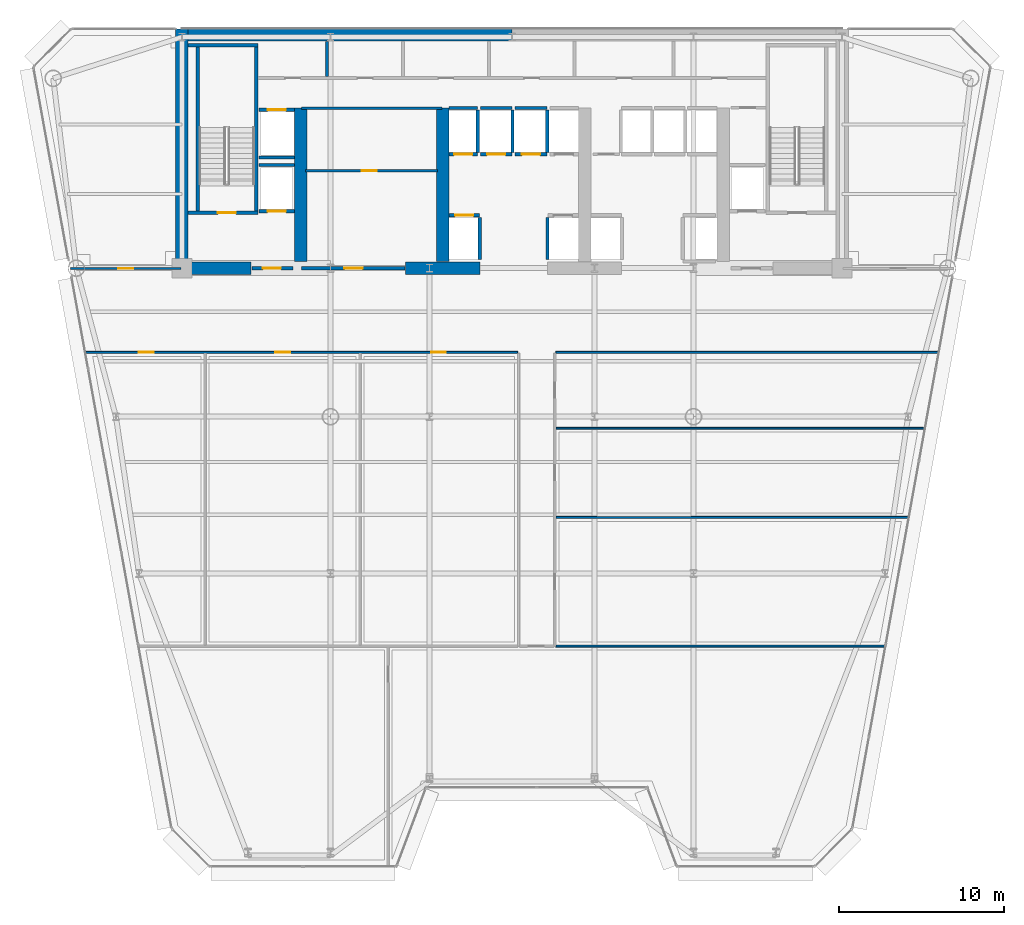
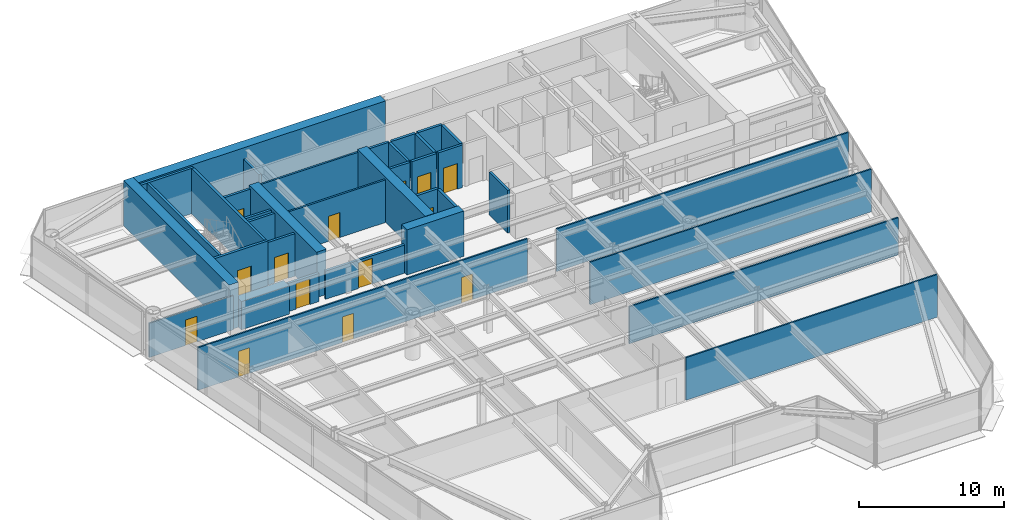
# One storey, part 8 of 14: 37 walls, 14 doors, 14 openings.
"""IFC4 building model written with IfcOpenShell, lengths in metres."""

from ifc_helpers import new_model, si_unit, direction, frame, frame_2d, origin, place, context, subcontext, project, spatial, rectangle, extrude, source, transform, mapped, material, layer, layer_set, type_object, element, fill, save


model = new_model("IFC4")

# Units and contexts
model_context = context("Model", 3, precision=1e-05, world=origin(), true_north=direction((0.0, 1.0)))
body_context = subcontext(model_context, "Body", "Model", "MODEL_VIEW")
ifc_project = project(units=[si_unit("LENGTHUNIT", "METRE"), si_unit("AREAUNIT", "SQUARE_METRE"), si_unit("VOLUMEUNIT", "CUBIC_METRE"), si_unit("PLANEANGLEUNIT", "RADIAN"), si_unit("MASSUNIT", "GRAM", prefix="KILO")], contexts=[model_context])

# Site, building, storey
site_placement = place(None, origin())
site = spatial("IfcSite", under=ifc_project, at=site_placement, CompositionType="ELEMENT")
building_placement = place(site_placement, origin())
building = spatial("IfcBuilding", under=site, at=building_placement, Name="Vaeldorn Concourse Tower", CompositionType="ELEMENT")
storey_placement = place(building_placement, frame((0.0, 0.0, 141.39990234375)))
storey = spatial("IfcBuildingStorey", under=building, at=storey_placement, Name="L36", CompositionType="ELEMENT", Elevation=141.39990234375)

# Walls
ifc_material_1 = material(Name="Concrete C60/75", Category="concrete")
ifc_layer_1 = layer(ifc_material_1, 0.75)
ifc_layer_set_1 = layer_set([ifc_layer_1], Name="Concrete C60/75")
wall_type_1 = type_object("IfcWallType", Name="WL-CORE-750", PredefinedType="SHEAR", material=ifc_layer_set_1)
wall_1_placement = place(storey_placement, frame((14.37890625, 50.625, 0.0), z_axis=(0.0, 0.0, 1.0), x_axis=(1.0, 0.0, 0.0)))
element("IfcWall", 1, at=wall_1_placement, inside=storey, type_object=wall_type_1, Name="Rear Core Shear Wall L36 N1", PredefinedType="SHEAR", context=body_context, shape_type="SweptSolid", body=[
    extrude(rectangle(XDim=19.619140625, YDim=0.75, at=frame_2d((9.8095703125, 0.0))), origin(), (0.0, 0.0, 1.0), 3.800048828125),
])
wall_2_placement = place(storey_placement, frame((14.0, 36.5, 0.0), z_axis=(0.0, 0.0, 1.0), x_axis=(0.0, 1.0, 0.0)))
element("IfcWall", 2, at=wall_2_placement, inside=storey, type_object=wall_type_1, Name="Rear Core Shear Wall L36 W1", PredefinedType="SHEAR", context=body_context, shape_type="SweptSolid", body=[
    extrude(rectangle(XDim=14.5, YDim=0.75, at=frame_2d((7.25, 0.0))), origin(), (0.0, 0.0, 1.0), 3.800048828125),
])
wall_3_placement = place(storey_placement, frame((14.39501953125, 36.5, 0.0), z_axis=(0.0, 0.0, 1.0), x_axis=(1.0, 0.0, 0.0)))
element("IfcWall", 3, at=wall_3_placement, inside=storey, type_object=wall_type_1, Name="Rear Core Shear Wall L36 S1", PredefinedType="SHEAR", context=body_context, shape_type="SweptSolid", body=[
    extrude(rectangle(XDim=3.804931640625, YDim=0.75, at=frame_2d((1.90234375, 0.0))), origin(), (0.0, 0.0, 1.0), 2.380126953125),
])
wall_4_placement = place(storey_placement, frame((27.550048828125, 36.5, 0.0), z_axis=(0.0, 0.0, 1.0), x_axis=(1.0, 0.0, 0.0)))
element("IfcWall", 4, at=wall_4_placement, inside=storey, type_object=wall_type_1, Name="Rear Core Shear Wall L36 S2", PredefinedType="SHEAR", context=body_context, shape_type="SweptSolid", body=[
    extrude(rectangle(XDim=4.5, YDim=0.75, at=frame_2d((2.25, 0.0))), origin(), (0.0, 0.0, 1.0), 3.800048828125),
])
for number, where, z_axis, x_axis, name in (
    (5, (21.199951171875, 36.89501953125, 0.0), (0.0, 0.0, 1.0), (0.0, 1.0, 0.0), "Rear Core Shear Wall L36 M1"),
    (6, (29.800048828125, 36.89501953125, 0.0), (0.0, 0.0, 1.0), (0.0, 1.0, 0.0), "Rear Core Shear Wall L36 M2"),
):
    element("IfcWall", number, at=place(storey_placement, frame(where, z_axis=z_axis, x_axis=x_axis)), inside=storey, type_object=wall_type_1, Name=name, PredefinedType="SHEAR", context=body_context, shape_type="SweptSolid", body=[
        extrude(rectangle(XDim=9.304931640625, YDim=0.75, at=frame_2d((4.65234375, 0.0))), origin(), (0.0, 0.0, 1.0), 3.800048828125),
    ])

# Wall, openings, doors
ifc_material_2 = material(Name="Gypsum Board Partition", Category="gypsum")
ifc_layer_2 = layer(ifc_material_2, 0.1201171875)
ifc_layer_set_2 = layer_set([ifc_layer_2], Name="Gypsum Board Partition")
wall_type_2 = type_object("IfcWallType", Name="WL-PART-120", PredefinedType="PARTITIONING", material=ifc_layer_set_2)
wall_5_placement = place(storey_placement, frame((8.178955078125, 31.39990234375, 0.0), z_axis=(0.0, 0.0, 1.0), x_axis=(1.0, 0.0, 0.0)))
wall_5 = element("IfcWall", 7, at=wall_5_placement, inside=storey, type_object=wall_type_2, Name="Interior Wall PW-L36-C2SW", PredefinedType="PARTITIONING", context=body_context, shape_type="SweptSolid", body=[
    extrude(rectangle(XDim=26.1611328125, YDim=0.1201171875, at=frame_2d((13.08056640625, 0.0))), origin(), (0.0, 0.0, 1.0), 3.580078125),
])
opening_1_placement = place(wall_5_placement, frame((3.2109375, 0.0, 0.0)))
opening_1 = element("IfcOpeningElement", 8, at=opening_1_placement, cuts=wall_5, Name="Opening D-03", PredefinedType="OPENING", context=body_context, shape_type="SweptSolid", body=[
    extrude(rectangle(XDim=0.89990234375, YDim=2.14990234375, at=frame_2d((0.449951171875, 1.074951171875))), frame((0.0, 0.070068359375, 0.0), z_axis=(0.0, -1.0, 0.0), x_axis=(1.0, 0.0, 0.0)), (0.0, 0.0, 1.0), 0.14013671875),
])
opening_2_placement = place(wall_5_placement, frame((11.470947265625, 0.0, 0.0)))
opening_2 = element("IfcOpeningElement", 9, at=opening_2_placement, cuts=wall_5, Name="Opening D-03", PredefinedType="OPENING", context=body_context, shape_type="SweptSolid", body=[
    extrude(rectangle(XDim=0.89990234375, YDim=2.14990234375, at=frame_2d((0.449951171875, 1.074951171875))), frame((0.0, 0.070068359375, 0.0), z_axis=(0.0, -1.0, 0.0), x_axis=(1.0, 0.0, 0.0)), (0.0, 0.0, 1.0), 0.14013671875),
])
opening_3_placement = place(wall_5_placement, frame((20.9208984375, 0.0, 0.0)))
opening_3 = element("IfcOpeningElement", 10, at=opening_3_placement, cuts=wall_5, Name="Opening D-03", PredefinedType="OPENING", context=body_context, shape_type="SweptSolid", body=[
    extrude(rectangle(XDim=0.89990234375, YDim=2.14990234375, at=frame_2d((0.449951171875, 1.074951171875))), frame((0.0, 0.070068359375, 0.0), z_axis=(0.0, -1.0, 0.0), x_axis=(1.0, 0.0, 0.0)), (0.0, 0.0, 1.0), 0.14013671875),
])
ifc_material_3 = material(Name="Acoustic Bronze-Framed Glass Door", Category="glass")
door_type_1 = type_object("IfcDoorType", Name="DR-INT-900", OperationType="NOTDEFINED", PredefinedType="DOOR", material=ifc_material_3)
shared_shape_1 = source(origin(), body_context, "Body", "SweptSolid", [
    extrude(rectangle(XDim=0.89990234375, YDim=2.14990234375, at=frame_2d((0.449951171875, 1.074951171875))), frame((0.0, 0.02490234375, 0.0), z_axis=(0.0, -1.0, 0.0), x_axis=(1.0, 0.0, 0.0)), (0.0, 0.0, 1.0), 0.050048828125),
])
door_1_placement = place(opening_1_placement, origin())
door_1 = element("IfcDoor", 11, at=door_1_placement, inside=storey, type_object=door_type_1, Name="Interior Door DR-L36-Z2W1", OperationType="SINGLE_SWING_LEFT", OverallHeight=2.14990234375, OverallWidth=0.89990234375, PredefinedType="DOOR", context=body_context, shape_type="MappedRepresentation", body=[
    mapped(shared_shape_1, transform((0.0, 0.0, 0.0), scale=1.0)),
])
fill(opening_1, door_1)
door_2_placement = place(opening_2_placement, origin())
door_2 = element("IfcDoor", 12, at=door_2_placement, inside=storey, type_object=door_type_1, Name="Interior Door DR-L36-Z2W2", OperationType="SINGLE_SWING_RIGHT", OverallHeight=2.14990234375, OverallWidth=0.89990234375, PredefinedType="DOOR", context=body_context, shape_type="MappedRepresentation", body=[
    mapped(shared_shape_1, transform((0.0, 0.0, 0.0), scale=1.0)),
])
fill(opening_2, door_2)
door_3_placement = place(opening_3_placement, origin())
door_3 = element("IfcDoor", 13, at=door_3_placement, inside=storey, type_object=door_type_1, Name="Interior Door DR-L36-Z2W3", OperationType="SINGLE_SWING_LEFT", OverallHeight=2.14990234375, OverallWidth=0.89990234375, PredefinedType="DOOR", context=body_context, shape_type="MappedRepresentation", body=[
    mapped(shared_shape_1, transform((0.0, 0.0, 0.0), scale=1.0)),
])
fill(opening_3, door_3)

# Wall
wall_6_placement = place(storey_placement, frame((36.659912109375, 31.39990234375, 0.0), z_axis=(0.0, 0.0, 1.0), x_axis=(1.0, 0.0, 0.0)))
element("IfcWall", 14, at=wall_6_placement, inside=storey, type_object=wall_type_2, Name="Interior Wall PW-L36-C2SE", PredefinedType="PARTITIONING", context=body_context, shape_type="SweptSolid", body=[
    extrude(rectangle(XDim=23.1611328125, YDim=0.1201171875, at=frame_2d((11.58056640625, 0.0))), origin(), (0.0, 0.0, 1.0), 3.580078125),
])

# Wall, opening, door
wall_7_placement = place(storey_placement, frame((7.2626953125, 36.47998046875, 0.0), z_axis=(0.0, 0.0, 1.0), x_axis=(1.0, 0.0, 0.0)))
wall_7 = element("IfcWall", 15, at=wall_7_placement, inside=storey, type_object=wall_type_2, Name="Interior Wall PW-L36-NWS", PredefinedType="PARTITIONING", context=body_context, shape_type="SweptSolid", body=[
    extrude(rectangle(XDim=6.67724609375, YDim=0.1201171875, at=frame_2d((3.338623046875, 0.0))), origin(), (0.0, 0.0, 1.0), 2.8701171875),
])
opening_4_placement = place(wall_7_placement, frame((2.888916015625, 0.0, 0.0)))
opening_4 = element("IfcOpeningElement", 16, at=opening_4_placement, cuts=wall_7, Name="Opening D-03", PredefinedType="OPENING", context=body_context, shape_type="SweptSolid", body=[
    extrude(rectangle(XDim=0.89990234375, YDim=2.14990234375, at=frame_2d((0.449951171875, 1.074951171875))), frame((0.0, 0.070068359375, 0.0), z_axis=(0.0, -1.0, 0.0), x_axis=(1.0, 0.0, 0.0)), (0.0, 0.0, 1.0), 0.14013671875),
])
door_4_placement = place(opening_4_placement, origin())
door_4 = element("IfcDoor", 17, at=door_4_placement, inside=storey, type_object=door_type_1, Name="Interior Door DR-L36-NWC", OperationType="SINGLE_SWING_LEFT", OverallHeight=2.14990234375, OverallWidth=0.89990234375, PredefinedType="DOOR", context=body_context, shape_type="MappedRepresentation", body=[
    mapped(shared_shape_1, transform((0.0, 0.0, 0.0), scale=1.0)),
])
fill(opening_4, door_4)

# Walls
wall_8_placement = place(storey_placement, frame((36.659912109375, 13.60009765625, 0.0), z_axis=(0.0, 0.0, 1.0), x_axis=(1.0, 0.0, 0.0)))
element("IfcWall", 18, at=wall_8_placement, inside=storey, type_object=wall_type_2, Name="Interior Wall PW-L36-S2EL", PredefinedType="PARTITIONING", context=body_context, shape_type="SweptSolid", body=[
    extrude(rectangle(XDim=19.931396484375, YDim=0.1201171875, at=frame_2d((9.9658203125, 0.0))), origin(), (0.0, 0.0, 1.0), 3.580078125),
])
wall_9_placement = place(storey_placement, frame((36.659912109375, 21.39990234375, 0.0), z_axis=(0.0, 0.0, 1.0), x_axis=(1.0, 0.0, 0.0)))
element("IfcWall", 19, at=wall_9_placement, inside=storey, type_object=wall_type_2, Name="Interior Wall PW-L36-Z2EY1", PredefinedType="PARTITIONING", context=body_context, shape_type="SweptSolid", body=[
    extrude(rectangle(XDim=21.3466796875, YDim=0.1201171875, at=frame_2d((10.67333984375, 0.0))), origin(), (0.0, 0.0, 1.0), 3.1201171875),
])
wall_10_placement = place(storey_placement, frame((36.659912109375, 26.800048828125, 0.0), z_axis=(0.0, 0.0, 1.0), x_axis=(1.0, 0.0, 0.0)))
element("IfcWall", 20, at=wall_10_placement, inside=storey, type_object=wall_type_2, Name="Interior Wall PW-L36-Z2EY2", PredefinedType="PARTITIONING", context=body_context, shape_type="SweptSolid", body=[
    extrude(rectangle(XDim=22.326416015625, YDim=0.1201171875, at=frame_2d((11.1630859375, 0.0))), origin(), (0.0, 0.0, 1.0), 3.580078125),
])
ifc_layer_3 = layer(ifc_material_2, 0.14990234375)
ifc_layer_set_3 = layer_set([ifc_layer_3], Name="Gypsum Board Partition")
wall_type_3 = type_object("IfcWallType", Name="WL-PART-150", PredefinedType="PARTITIONING", material=ifc_layer_set_3)
wall_11_placement = place(storey_placement, frame((21.25, 46.199951171875, 0.0), z_axis=(0.0, 0.0, 1.0), x_axis=(1.0, 0.0, 0.0)))
element("IfcWall", 21, at=wall_11_placement, inside=storey, type_object=wall_type_3, Name="Interior Wall CW-L36-R1N", PredefinedType="PARTITIONING", context=body_context, shape_type="SweptSolid", body=[
    extrude(rectangle(XDim=8.5, YDim=0.14990234375, at=frame_2d((4.25, 0.0))), origin(), (0.0, 0.0, 1.0), 3.580078125),
])

# Wall, opening, door
wall_12_placement = place(storey_placement, frame((21.5, 42.39990234375, 0.0), z_axis=(0.0, 0.0, 1.0), x_axis=(1.0, 0.0, 0.0)))
wall_12 = element("IfcWall", 22, at=wall_12_placement, inside=storey, type_object=wall_type_3, Name="Interior Wall CW-L36-R1M", PredefinedType="PARTITIONING", context=body_context, shape_type="SweptSolid", body=[
    extrude(rectangle(XDim=8.0, YDim=0.14990234375, at=frame_2d((4.0, 0.0))), origin(), (0.0, 0.0, 1.0), 3.580078125),
])
opening_5_placement = place(wall_12_placement, frame((3.39990234375, 0.0, 0.0)))
opening_5 = element("IfcOpeningElement", 23, at=opening_5_placement, cuts=wall_12, Name="Opening D-02", PredefinedType="OPENING", context=body_context, shape_type="SweptSolid", body=[
    extrude(rectangle(XDim=0.89990234375, YDim=2.10009765625, at=frame_2d((0.449951171875, 1.050048828125))), frame((0.0, 0.0849609375, 0.0), z_axis=(0.0, -1.0, 0.0), x_axis=(1.0, 0.0, 0.0)), (0.0, 0.0, 1.0), 0.169921875),
])
ifc_material_4 = material(Name="Fire-Rated Timber Leaf", Category="wood")
door_type_2 = type_object("IfcDoorType", Name="DR-FD30-900", OperationType="NOTDEFINED", PredefinedType="DOOR", material=ifc_material_4)
shared_shape_2 = source(origin(), body_context, "Body", "SweptSolid", [
    extrude(rectangle(XDim=0.89990234375, YDim=2.10009765625, at=frame_2d((0.449951171875, 1.050048828125))), frame((0.0, 0.02490234375, 0.0), z_axis=(0.0, -1.0, 0.0), x_axis=(1.0, 0.0, 0.0)), (0.0, 0.0, 1.0), 0.050048828125),
])
door_5_placement = place(opening_5_placement, origin())
door_5 = element("IfcDoor", 24, at=door_5_placement, inside=storey, type_object=door_type_2, Name="Interior Door DR-L36-R1M", OperationType="SINGLE_SWING_RIGHT", OverallHeight=2.10009765625, OverallWidth=0.89990234375, PredefinedType="DOOR", context=body_context, shape_type="MappedRepresentation", body=[
    mapped(shared_shape_2, transform((0.0, 0.0, 0.0), scale=1.0)),
])
fill(opening_5, door_5)

# Wall
ifc_layer_4 = layer(ifc_material_2, 0.179931640625)
ifc_layer_set_4 = layer_set([ifc_layer_4], Name="Gypsum Board Partition")
wall_type_4 = type_object("IfcWallType", Name="WL-PLUMB-180", PredefinedType="PLUMBINGWALL", material=ifc_layer_set_4)
wall_13_placement = place(storey_placement, frame((22.800048828125, 48.10009765625, 0.0), z_axis=(0.0, 0.0, 1.0), x_axis=(0.0, 1.0, 0.0)))
element("IfcWall", 25, at=wall_13_placement, inside=storey, type_object=wall_type_4, Name="Interior Wall CW-L36-NDIV1", PredefinedType="PLUMBINGWALL", context=body_context, shape_type="SweptSolid", body=[
    extrude(rectangle(XDim=2.1298828125, YDim=0.179931640625, at=frame_2d((1.06494140625, 0.0))), origin(), (0.0, 0.0, 1.0), 2.8701171875),
])

# Wall, opening, door
ifc_material_5 = material(Name="Concrete C50/60", Category="concrete")
ifc_layer_5 = layer(ifc_material_5, 0.199951171875)
ifc_layer_set_5 = layer_set([ifc_layer_5], Name="Concrete C50/60")
wall_type_5 = type_object("IfcWallType", Name="WL-SHAFT-200", PredefinedType="SOLIDWALL", material=ifc_layer_set_5)
wall_14_placement = place(storey_placement, frame((14.375, 39.85009765625, 0.0), z_axis=(0.0, 0.0, 1.0), x_axis=(1.0, 0.0, 0.0)))
wall_14 = element("IfcWall", 26, at=wall_14_placement, inside=storey, type_object=wall_type_5, Name="Stair Shaft Wall CW-L36-ST-1-S", PredefinedType="SOLIDWALL", context=body_context, shape_type="SweptSolid", body=[
    extrude(rectangle(XDim=4.22509765625, YDim=0.199951171875, at=frame_2d((2.112548828125, 0.0))), origin(), (0.0, 0.0, 1.0), 3.800048828125),
])
opening_6_placement = place(wall_14_placement, frame((1.800048828125, 0.0, 0.0)))
opening_6 = element("IfcOpeningElement", 27, at=opening_6_placement, cuts=wall_14, Name="Opening D-01", PredefinedType="OPENING", context=body_context, shape_type="SweptSolid", body=[
    extrude(rectangle(XDim=1.10009765625, YDim=2.14990234375, at=frame_2d((0.550048828125, 1.074951171875))), frame((0.0, 0.10986328125, 0.0), z_axis=(0.0, -1.0, 0.0), x_axis=(1.0, 0.0, 0.0)), (0.0, 0.0, 1.0), 0.219970703125),
])
ifc_material_6 = material(Name="Fire-Rated Timber and Steel Leaf", Category="steel")
door_type_3 = type_object("IfcDoorType", Name="DR-FD60-1100", OperationType="NOTDEFINED", PredefinedType="DOOR", material=ifc_material_6)
shared_shape_3 = source(origin(), body_context, "Body", "SweptSolid", [
    extrude(rectangle(XDim=1.10009765625, YDim=2.14990234375, at=frame_2d((0.550048828125, 1.074951171875))), frame((0.0, 0.02490234375, 0.0), z_axis=(0.0, -1.0, 0.0), x_axis=(1.0, 0.0, 0.0)), (0.0, 0.0, 1.0), 0.050048828125),
])
door_6_placement = place(opening_6_placement, origin())
door_6 = element("IfcDoor", 28, at=door_6_placement, inside=storey, type_object=door_type_3, Name="Interior Door DR-L36-ST-1", OperationType="SINGLE_SWING_LEFT", OverallHeight=2.14990234375, OverallWidth=1.10009765625, PredefinedType="DOOR", context=body_context, shape_type="MappedRepresentation", body=[
    mapped(shared_shape_3, transform((0.0, 0.0, 0.0), scale=1.0)),
])
fill(opening_6, door_6)

# Walls
wall_15_placement = place(storey_placement, frame((14.375, 50.0, 0.0), z_axis=(0.0, 0.0, 1.0), x_axis=(1.0, 0.0, 0.0)))
element("IfcWall", 29, at=wall_15_placement, inside=storey, type_object=wall_type_5, Name="Stair Shaft Wall CW-L36-ST-1-N", PredefinedType="SOLIDWALL", context=body_context, shape_type="SweptSolid", body=[
    extrude(rectangle(XDim=4.22509765625, YDim=0.199951171875, at=frame_2d((2.112548828125, 0.0))), origin(), (0.0, 0.0, 1.0), 3.800048828125),
])
for number, where, z_axis, x_axis, name in (
    (30, (14.949951171875, 39.9599609375, 0.0), (0.0, 0.0, 1.0), (0.0, 1.0, 0.0), "Stair Shaft Wall CW-L36-ST-1-W"),
    (31, (18.5, 39.9599609375, 0.0), (0.0, 0.0, 1.0), (0.0, 1.0, 0.0), "Stair Shaft Wall CW-L36-ST-1-E"),
):
    element("IfcWall", number, at=place(storey_placement, frame(where, z_axis=z_axis, x_axis=x_axis)), inside=storey, type_object=wall_type_5, Name=name, PredefinedType="SOLIDWALL", context=body_context, shape_type="SweptSolid", body=[
        extrude(rectangle(XDim=9.929931640625, YDim=0.199951171875, at=frame_2d((4.96484375, 0.0))), origin(), (0.0, 0.0, 1.0), 3.800048828125),
    ])

# Wall, opening, door
wall_16_placement = place(storey_placement, frame((18.25, 36.5, 0.0), z_axis=(0.0, 0.0, 1.0), x_axis=(1.0, 0.0, 0.0)))
wall_16 = element("IfcWall", 32, at=wall_16_placement, inside=storey, type_object=wall_type_5, Name="Interior Wall CW-L36-FF1S", PredefinedType="SOLIDWALL", context=body_context, shape_type="SweptSolid", body=[
    extrude(rectangle(XDim=2.469970703125, YDim=0.199951171875, at=frame_2d((1.23486328125, 0.0))), origin(), (0.0, 0.0, 1.0), 2.3701171875),
])
opening_7_placement = place(wall_16_placement, frame((0.64990234375, 0.0, 0.0)))
opening_7 = element("IfcOpeningElement", 33, at=opening_7_placement, cuts=wall_16, Name="Opening D-01", PredefinedType="OPENING", context=body_context, shape_type="SweptSolid", body=[
    extrude(rectangle(XDim=1.10009765625, YDim=2.14990234375, at=frame_2d((0.550048828125, 1.074951171875))), frame((0.0, 0.10986328125, 0.0), z_axis=(0.0, -1.0, 0.0), x_axis=(1.0, 0.0, 0.0)), (0.0, 0.0, 1.0), 0.219970703125),
])
door_7_placement = place(opening_7_placement, origin())
door_7 = element("IfcDoor", 34, at=door_7_placement, inside=storey, type_object=door_type_3, Name="Interior Door DR-L36-FF1E", OperationType="SINGLE_SWING_RIGHT", OverallHeight=2.14990234375, OverallWidth=1.10009765625, PredefinedType="DOOR", context=body_context, shape_type="MappedRepresentation", body=[
    mapped(shared_shape_3, transform((0.0, 0.0, 0.0), scale=1.0)),
])
fill(opening_7, door_7)

wall_17_placement = place(storey_placement, frame((30.18505859375, 39.699951171875, 0.0), z_axis=(0.0, 0.0, 1.0), x_axis=(1.0, 0.0, 0.0)))
wall_17 = element("IfcWall", 35, at=wall_17_placement, inside=storey, type_object=wall_type_5, Name="Interior Wall CW-L36-LF-LF-07", PredefinedType="SOLIDWALL", context=body_context, shape_type="SweptSolid", body=[
    extrude(rectangle(XDim=1.844970703125, YDim=0.199951171875, at=frame_2d((0.92236328125, 0.0))), origin(), (0.0, 0.0, 1.0), 3.580078125),
])
opening_8_placement = place(wall_17_placement, frame((0.373046875, 0.0, 0.0)))
opening_8 = element("IfcOpeningElement", 36, at=opening_8_placement, cuts=wall_17, Name="Opening LD-1", PredefinedType="OPENING", context=body_context, shape_type="SweptSolid", body=[
    extrude(rectangle(XDim=1.10009765625, YDim=2.14990234375, at=frame_2d((0.550048828125, 1.074951171875))), frame((0.0, 0.10986328125, 0.0), z_axis=(0.0, -1.0, 0.0), x_axis=(1.0, 0.0, 0.0)), (0.0, 0.0, 1.0), 0.219970703125),
])
ifc_material_7 = material(Name="Anodised Bronze Aluminium", Category="aluminium")
door_type_4 = type_object("IfcDoorType", Name="DR-LIFT-SLIDE-1100", OperationType="DOUBLE_DOOR_SLIDING", PredefinedType="DOOR", material=ifc_material_7)
door_8_placement = place(opening_8_placement, origin())
door_8 = element("IfcDoor", 37, at=door_8_placement, inside=storey, type_object=door_type_4, Name="Lift Landing Door LD-L36-LF-07", OperationType="DOUBLE_DOOR_SLIDING", OverallHeight=2.14990234375, OverallWidth=1.10009765625, PredefinedType="DOOR", context=body_context, shape_type="MappedRepresentation", body=[
    mapped(shared_shape_3, transform((0.0, 0.0, 0.0), scale=1.0)),
])
fill(opening_8, door_8)

# Walls
for number, where, z_axis, x_axis, name in (
    (38, (32.050048828125, 37.02001953125, 0.0), (0.0, 0.0, 1.0), (0.0, 1.0, 0.0), "Interior Wall CW-L36-LFE-LF-07"),
    (39, (36.14990234375, 37.02001953125, 0.0), (0.0, 0.0, 1.0), (0.0, 1.0, 0.0), "Interior Wall CW-L36-LFW-LF-08"),
):
    element("IfcWall", number, at=place(storey_placement, frame(where, z_axis=z_axis, x_axis=x_axis)), inside=storey, type_object=wall_type_5, Name=name, PredefinedType="SOLIDWALL", context=body_context, shape_type="SweptSolid", body=[
        extrude(rectangle(XDim=2.56005859375, YDim=0.199951171875, at=frame_2d((1.280029296875, 0.0))), origin(), (0.0, 0.0, 1.0), 3.580078125),
    ])

# Wall, opening, door
wall_18_placement = place(storey_placement, frame((30.18505859375, 43.39990234375, 0.0), z_axis=(0.0, 0.0, 1.0), x_axis=(1.0, 0.0, 0.0)))
wall_18 = element("IfcWall", 40, at=wall_18_placement, inside=storey, type_object=wall_type_5, Name="Interior Wall CW-L36-LF-LF-09", PredefinedType="SOLIDWALL", context=body_context, shape_type="SweptSolid", body=[
    extrude(rectangle(XDim=1.724853515625, YDim=0.199951171875, at=frame_2d((0.8623046875, 0.0))), origin(), (0.0, 0.0, 1.0), 3.580078125),
])
opening_9_placement = place(wall_18_placement, frame((0.31298828125, 0.0, 0.0)))
opening_9 = element("IfcOpeningElement", 41, at=opening_9_placement, cuts=wall_18, Name="Opening LD-1", PredefinedType="OPENING", context=body_context, shape_type="SweptSolid", body=[
    extrude(rectangle(XDim=1.10009765625, YDim=2.14990234375, at=frame_2d((0.550048828125, 1.074951171875))), frame((0.0, 0.10986328125, 0.0), z_axis=(0.0, -1.0, 0.0), x_axis=(1.0, 0.0, 0.0)), (0.0, 0.0, 1.0), 0.219970703125),
])
door_9_placement = place(opening_9_placement, origin())
door_9 = element("IfcDoor", 42, at=door_9_placement, inside=storey, type_object=door_type_4, Name="Lift Landing Door LD-L36-LF-09", OperationType="DOUBLE_DOOR_SLIDING", OverallHeight=2.14990234375, OverallWidth=1.10009765625, PredefinedType="DOOR", context=body_context, shape_type="MappedRepresentation", body=[
    mapped(shared_shape_3, transform((0.0, 0.0, 0.0), scale=1.0)),
])
fill(opening_9, door_9)

# Walls
wall_19_placement = place(storey_placement, frame((30.18505859375, 46.199951171875, 0.0), z_axis=(0.0, 0.0, 1.0), x_axis=(1.0, 0.0, 0.0)))
element("IfcWall", 43, at=wall_19_placement, inside=storey, type_object=wall_type_5, Name="Interior Wall CW-L36-LFB-LF-09", PredefinedType="SOLIDWALL", context=body_context, shape_type="SweptSolid", body=[
    extrude(rectangle(XDim=1.724853515625, YDim=0.199951171875, at=frame_2d((0.8623046875, 0.0))), origin(), (0.0, 0.0, 1.0), 3.580078125),
])
wall_20_placement = place(storey_placement, frame((31.929931640625, 43.52001953125, 0.0), z_axis=(0.0, 0.0, 1.0), x_axis=(0.0, 1.0, 0.0)))
element("IfcWall", 44, at=wall_20_placement, inside=storey, type_object=wall_type_5, Name="Interior Wall CW-L36-LFE-LF-09", PredefinedType="SOLIDWALL", context=body_context, shape_type="SweptSolid", body=[
    extrude(rectangle(XDim=2.56005859375, YDim=0.199951171875, at=frame_2d((1.280029296875, 0.0))), origin(), (0.0, 0.0, 1.0), 3.580078125),
])

# Wall, opening, door
wall_21_placement = place(storey_placement, frame((32.090087890625, 43.39990234375, 0.0), z_axis=(0.0, 0.0, 1.0), x_axis=(1.0, 0.0, 0.0)))
wall_21 = element("IfcWall", 45, at=wall_21_placement, inside=storey, type_object=wall_type_5, Name="Interior Wall CW-L36-LF-LF-10", PredefinedType="SOLIDWALL", context=body_context, shape_type="SweptSolid", body=[
    extrude(rectangle(XDim=1.919921875, YDim=0.199951171875, at=frame_2d((0.9599609375, 0.0))), origin(), (0.0, 0.0, 1.0), 3.580078125),
])
opening_10_placement = place(wall_21_placement, frame((0.409912109375, 0.0, 0.0)))
opening_10 = element("IfcOpeningElement", 46, at=opening_10_placement, cuts=wall_21, Name="Opening LD-1", PredefinedType="OPENING", context=body_context, shape_type="SweptSolid", body=[
    extrude(rectangle(XDim=1.10009765625, YDim=2.14990234375, at=frame_2d((0.550048828125, 1.074951171875))), frame((0.0, 0.10986328125, 0.0), z_axis=(0.0, -1.0, 0.0), x_axis=(1.0, 0.0, 0.0)), (0.0, 0.0, 1.0), 0.219970703125),
])
door_10_placement = place(opening_10_placement, origin())
door_10 = element("IfcDoor", 47, at=door_10_placement, inside=storey, type_object=door_type_4, Name="Lift Landing Door LD-L36-LF-10", OperationType="DOUBLE_DOOR_SLIDING", OverallHeight=2.14990234375, OverallWidth=1.10009765625, PredefinedType="DOOR", context=body_context, shape_type="MappedRepresentation", body=[
    mapped(shared_shape_3, transform((0.0, 0.0, 0.0), scale=1.0)),
])
fill(opening_10, door_10)

# Walls
wall_22_placement = place(storey_placement, frame((32.090087890625, 46.199951171875, 0.0), z_axis=(0.0, 0.0, 1.0), x_axis=(1.0, 0.0, 0.0)))
element("IfcWall", 48, at=wall_22_placement, inside=storey, type_object=wall_type_5, Name="Interior Wall CW-L36-LFB-LF-10", PredefinedType="SOLIDWALL", context=body_context, shape_type="SweptSolid", body=[
    extrude(rectangle(XDim=1.919921875, YDim=0.199951171875, at=frame_2d((0.9599609375, 0.0))), origin(), (0.0, 0.0, 1.0), 3.580078125),
])
wall_23_placement = place(storey_placement, frame((34.030029296875, 43.52001953125, 0.0), z_axis=(0.0, 0.0, 1.0), x_axis=(0.0, 1.0, 0.0)))
element("IfcWall", 49, at=wall_23_placement, inside=storey, type_object=wall_type_5, Name="Interior Wall CW-L36-LFE-LF-10", PredefinedType="SOLIDWALL", context=body_context, shape_type="SweptSolid", body=[
    extrude(rectangle(XDim=2.56005859375, YDim=0.199951171875, at=frame_2d((1.280029296875, 0.0))), origin(), (0.0, 0.0, 1.0), 3.580078125),
])

# Wall, opening, door
wall_24_placement = place(storey_placement, frame((34.18994140625, 43.39990234375, 0.0), z_axis=(0.0, 0.0, 1.0), x_axis=(1.0, 0.0, 0.0)))
wall_24 = element("IfcWall", 50, at=wall_24_placement, inside=storey, type_object=wall_type_5, Name="Interior Wall CW-L36-LF-LF-11", PredefinedType="SOLIDWALL", context=body_context, shape_type="SweptSolid", body=[
    extrude(rectangle(XDim=1.920166015625, YDim=0.199951171875, at=frame_2d((0.9599609375, 0.0))), origin(), (0.0, 0.0, 1.0), 3.580078125),
])
opening_11_placement = place(wall_24_placement, frame((0.409912109375, 0.0, 0.0)))
opening_11 = element("IfcOpeningElement", 51, at=opening_11_placement, cuts=wall_24, Name="Opening LD-1", PredefinedType="OPENING", context=body_context, shape_type="SweptSolid", body=[
    extrude(rectangle(XDim=1.10009765625, YDim=2.14990234375, at=frame_2d((0.550048828125, 1.074951171875))), frame((0.0, 0.10986328125, 0.0), z_axis=(0.0, -1.0, 0.0), x_axis=(1.0, 0.0, 0.0)), (0.0, 0.0, 1.0), 0.219970703125),
])
door_11_placement = place(opening_11_placement, origin())
door_11 = element("IfcDoor", 52, at=door_11_placement, inside=storey, type_object=door_type_4, Name="Lift Landing Door LD-L36-LF-11", OperationType="DOUBLE_DOOR_SLIDING", OverallHeight=2.14990234375, OverallWidth=1.10009765625, PredefinedType="DOOR", context=body_context, shape_type="MappedRepresentation", body=[
    mapped(shared_shape_3, transform((0.0, 0.0, 0.0), scale=1.0)),
])
fill(opening_11, door_11)

# Walls
wall_25_placement = place(storey_placement, frame((34.18994140625, 46.199951171875, 0.0), z_axis=(0.0, 0.0, 1.0), x_axis=(1.0, 0.0, 0.0)))
element("IfcWall", 53, at=wall_25_placement, inside=storey, type_object=wall_type_5, Name="Interior Wall CW-L36-LFB-LF-11", PredefinedType="SOLIDWALL", context=body_context, shape_type="SweptSolid", body=[
    extrude(rectangle(XDim=1.920166015625, YDim=0.199951171875, at=frame_2d((0.9599609375, 0.0))), origin(), (0.0, 0.0, 1.0), 3.580078125),
])
wall_26_placement = place(storey_placement, frame((36.1298828125, 43.52001953125, 0.0), z_axis=(0.0, 0.0, 1.0), x_axis=(0.0, 1.0, 0.0)))
element("IfcWall", 54, at=wall_26_placement, inside=storey, type_object=wall_type_5, Name="Interior Wall CW-L36-LFE-LF-11", PredefinedType="SOLIDWALL", context=body_context, shape_type="SweptSolid", body=[
    extrude(rectangle(XDim=2.56005859375, YDim=0.199951171875, at=frame_2d((1.280029296875, 0.0))), origin(), (0.0, 0.0, 1.0), 3.580078125),
])

# Wall, opening, door
wall_27_placement = place(storey_placement, frame((18.669921875, 46.10009765625, 0.0), z_axis=(0.0, 0.0, 1.0), x_axis=(1.0, 0.0, 0.0)))
wall_27 = element("IfcWall", 55, at=wall_27_placement, inside=storey, type_object=wall_type_5, Name="Interior Wall CW-L36-LF-LF-SV1", PredefinedType="SOLIDWALL", context=body_context, shape_type="SweptSolid", body=[
    extrude(rectangle(XDim=2.14501953125, YDim=0.199951171875, at=frame_2d((1.072509765625, 0.0))), origin(), (0.0, 0.0, 1.0), 3.580078125),
])
opening_12_placement = place(wall_27_placement, frame((0.52197265625, 0.0, 0.0)))
opening_12 = element("IfcOpeningElement", 56, at=opening_12_placement, cuts=wall_27, Name="Opening LD-1", PredefinedType="OPENING", context=body_context, shape_type="SweptSolid", body=[
    extrude(rectangle(XDim=1.10009765625, YDim=2.14990234375, at=frame_2d((0.550048828125, 1.074951171875))), frame((0.0, 0.10986328125, 0.0), z_axis=(0.0, -1.0, 0.0), x_axis=(1.0, 0.0, 0.0)), (0.0, 0.0, 1.0), 0.219970703125),
])
door_12_placement = place(opening_12_placement, origin())
door_12 = element("IfcDoor", 57, at=door_12_placement, inside=storey, type_object=door_type_4, Name="Lift Landing Door LD-L36-LF-SV1", OperationType="DOUBLE_DOOR_SLIDING", OverallHeight=2.14990234375, OverallWidth=1.10009765625, PredefinedType="DOOR", context=body_context, shape_type="MappedRepresentation", body=[
    mapped(shared_shape_3, transform((0.0, 0.0, 0.0), scale=1.0)),
])
fill(opening_12, door_12)

# Wall
wall_28_placement = place(storey_placement, frame((18.669921875, 43.199951171875, 0.0), z_axis=(0.0, 0.0, 1.0), x_axis=(1.0, 0.0, 0.0)))
element("IfcWall", 58, at=wall_28_placement, inside=storey, type_object=wall_type_5, Name="Interior Wall CW-L36-LFB-LF-SV1", PredefinedType="SOLIDWALL", context=body_context, shape_type="SweptSolid", body=[
    extrude(rectangle(XDim=2.14501953125, YDim=0.199951171875, at=frame_2d((1.072509765625, 0.0))), origin(), (0.0, 0.0, 1.0), 3.580078125),
])

# Wall, opening, door
wall_29_placement = place(storey_placement, frame((18.669921875, 39.949951171875, 0.0), z_axis=(0.0, 0.0, 1.0), x_axis=(1.0, 0.0, 0.0)))
wall_29 = element("IfcWall", 59, at=wall_29_placement, inside=storey, type_object=wall_type_5, Name="Interior Wall CW-L36-LF-LF-FF1", PredefinedType="SOLIDWALL", context=body_context, shape_type="SweptSolid", body=[
    extrude(rectangle(XDim=2.14501953125, YDim=0.199951171875, at=frame_2d((1.072509765625, 0.0))), origin(), (0.0, 0.0, 1.0), 3.580078125),
])
opening_13_placement = place(wall_29_placement, frame((0.52197265625, 0.0, 0.0)))
opening_13 = element("IfcOpeningElement", 60, at=opening_13_placement, cuts=wall_29, Name="Opening LD-1", PredefinedType="OPENING", context=body_context, shape_type="SweptSolid", body=[
    extrude(rectangle(XDim=1.10009765625, YDim=2.14990234375, at=frame_2d((0.550048828125, 1.074951171875))), frame((0.0, 0.10986328125, 0.0), z_axis=(0.0, -1.0, 0.0), x_axis=(1.0, 0.0, 0.0)), (0.0, 0.0, 1.0), 0.219970703125),
])
door_13_placement = place(opening_13_placement, origin())
door_13 = element("IfcDoor", 61, at=door_13_placement, inside=storey, type_object=door_type_4, Name="Lift Landing Door LD-L36-LF-FF1", OperationType="DOUBLE_DOOR_SLIDING", OverallHeight=2.14990234375, OverallWidth=1.10009765625, PredefinedType="DOOR", context=body_context, shape_type="MappedRepresentation", body=[
    mapped(shared_shape_3, transform((0.0, 0.0, 0.0), scale=1.0)),
])
fill(opening_13, door_13)

# Wall
wall_30_placement = place(storey_placement, frame((18.669921875, 42.75, 0.0), z_axis=(0.0, 0.0, 1.0), x_axis=(1.0, 0.0, 0.0)))
element("IfcWall", 62, at=wall_30_placement, inside=storey, type_object=wall_type_5, Name="Interior Wall CW-L36-LFB-LF-FF1", PredefinedType="SOLIDWALL", context=body_context, shape_type="SweptSolid", body=[
    extrude(rectangle(XDim=2.14501953125, YDim=0.199951171875, at=frame_2d((1.072509765625, 0.0))), origin(), (0.0, 0.0, 1.0), 3.580078125),
])

# Wall, opening, door
wall_31_placement = place(storey_placement, frame((21.25, 36.5, 0.0), z_axis=(0.0, 0.0, 1.0), x_axis=(1.0, 0.0, 0.0)))
wall_31 = element("IfcWall", 63, at=wall_31_placement, inside=storey, type_object=wall_type_5, Name="Interior Wall CW-L36-R1S", PredefinedType="SOLIDWALL", context=body_context, shape_type="SweptSolid", body=[
    extrude(rectangle(XDim=6.27001953125, YDim=0.199951171875, at=frame_2d((3.135009765625, 0.0))), origin(), (0.0, 0.0, 1.0), 2.3701171875),
])
opening_14_placement = place(wall_31_placement, frame((2.60009765625, 0.0, 0.0)))
opening_14 = element("IfcOpeningElement", 64, at=opening_14_placement, cuts=wall_31, Name="Opening D-01", PredefinedType="OPENING", context=body_context, shape_type="SweptSolid", body=[
    extrude(rectangle(XDim=1.10009765625, YDim=2.14990234375, at=frame_2d((0.550048828125, 1.074951171875))), frame((0.0, 0.10986328125, 0.0), z_axis=(0.0, -1.0, 0.0), x_axis=(1.0, 0.0, 0.0)), (0.0, 0.0, 1.0), 0.219970703125),
])
door_14_placement = place(opening_14_placement, origin())
door_14 = element("IfcDoor", 65, at=door_14_placement, inside=storey, type_object=door_type_3, Name="Interior Door DR-L36-R1S", OperationType="SINGLE_SWING_LEFT", OverallHeight=2.14990234375, OverallWidth=1.10009765625, PredefinedType="DOOR", context=body_context, shape_type="MappedRepresentation", body=[
    mapped(shared_shape_3, transform((0.0, 0.0, 0.0), scale=1.0)),
])
fill(opening_14, door_14)

save(model, "model.ifc")
